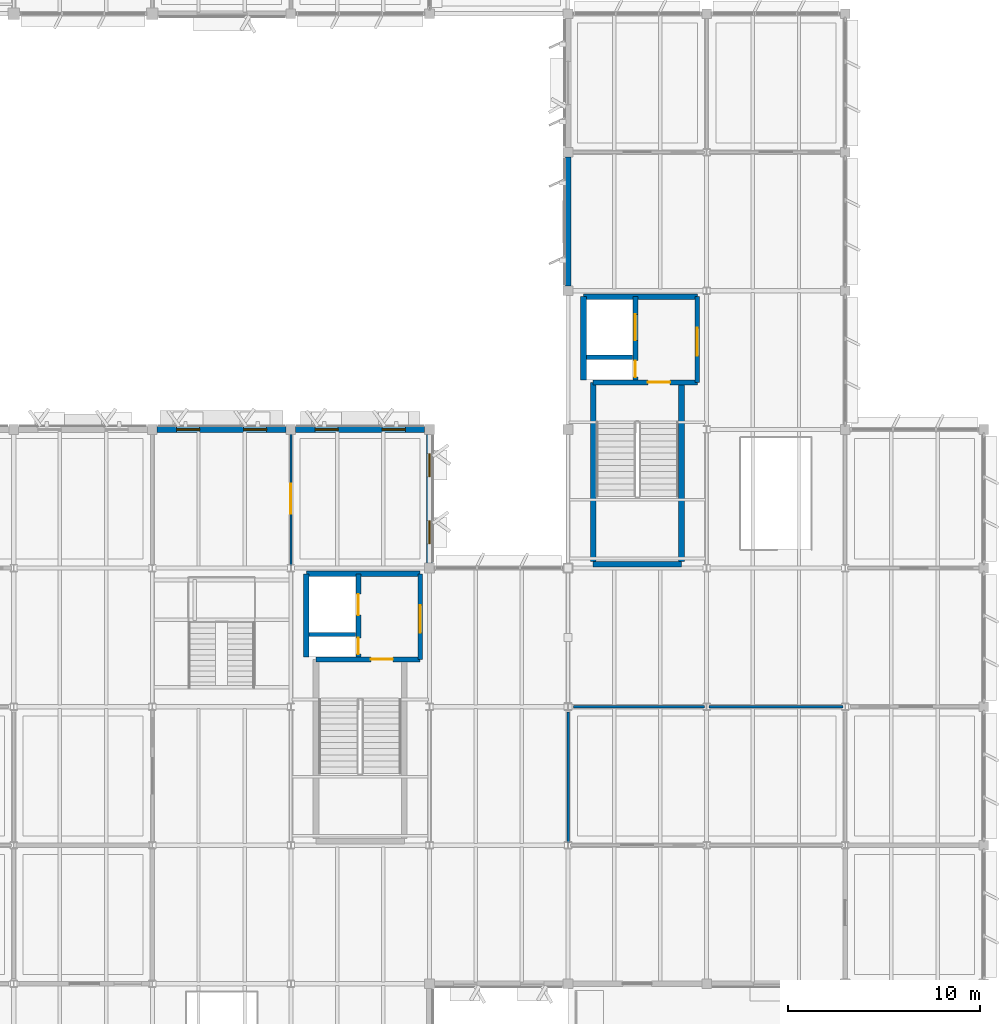
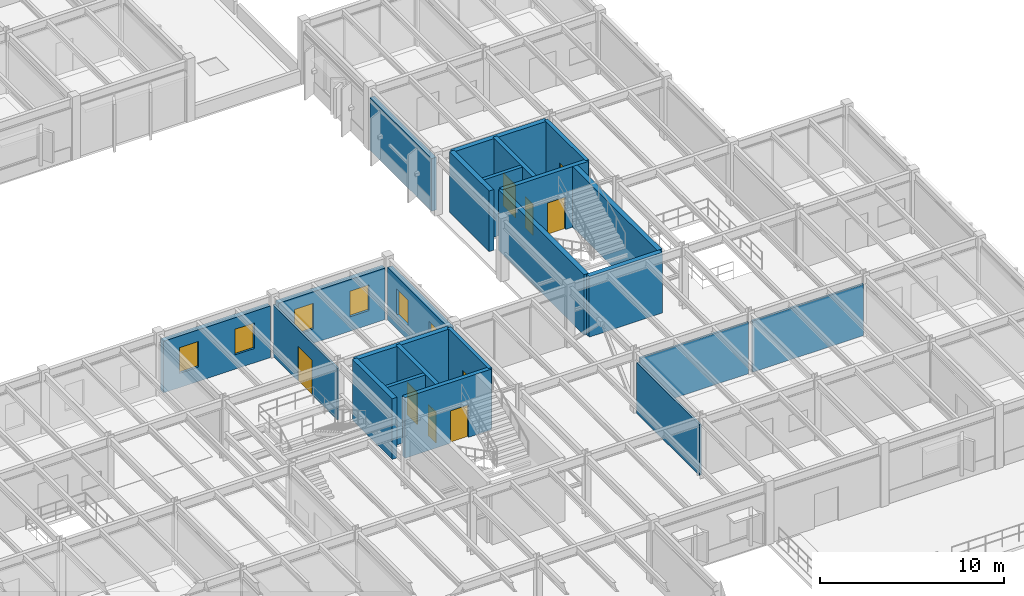
# One storey, part 38 of 85: 23 walls, 9 doors, 6 windows, 15 openings.
"""IFC4 building model written with IfcOpenShell, lengths in metres."""

from ifc_helpers import new_model, si_unit, direction, frame, frame_2d, origin, place, context, subcontext, project, spatial, rectangle, extrude, material, layer, layer_set, type_object, element, fill, save


model = new_model("IFC4")

# Units and contexts
model_context = context("Model", 3, precision=1e-05, world=origin(), true_north=direction((0.0, 1.0)))
body_context = subcontext(model_context, "Body", "Model", "MODEL_VIEW")
ifc_project = project(units=[si_unit("LENGTHUNIT", "METRE"), si_unit("AREAUNIT", "SQUARE_METRE"), si_unit("VOLUMEUNIT", "CUBIC_METRE"), si_unit("PLANEANGLEUNIT", "RADIAN"), si_unit("MASSUNIT", "GRAM", prefix="KILO")], contexts=[model_context])

# Site, building, storey
site_placement = place(None, origin())
site = spatial("IfcSite", under=ifc_project, at=site_placement, CompositionType="ELEMENT")
building_placement = place(site_placement, origin())
building = spatial("IfcBuilding", under=site, at=building_placement, Name="Sillqori Civic Hall", CompositionType="ELEMENT")
storey_placement = place(building_placement, frame((0.0, 0.0, 9.89990234375)))
storey = spatial("IfcBuildingStorey", under=building, at=storey_placement, Name="L03", CompositionType="ELEMENT", Elevation=9.89990234375)

# Wall
ifc_material_1 = material(Name="Concrete C35/45 (H35)", Category="concrete")
ifc_layer_1 = layer(ifc_material_1, 0.219970703125)
ifc_layer_set_1 = layer_set([ifc_layer_1], Name="Concrete C35/45 (H35)")
wall_type_1 = type_object("IfcWallType", Name="CW-SHR-220", PredefinedType="SHEAR", material=ifc_layer_set_1)
wall_1_placement = place(storey_placement, frame((123.35009765625, 61.35009765625, 0.0), z_axis=(0.0, 0.0, 1.0), x_axis=(1.0, 0.0, 0.0)))
element("IfcWall", 1, at=wall_1_placement, inside=storey, type_object=wall_type_1, Name="L03 C2 Lift-riser divider wall", PredefinedType="SHEAR", context=body_context, shape_type="SweptSolid", body=[
    extrude(rectangle(XDim=2.39990234375, YDim=0.219970703125, at=frame_2d((1.199951171875, 0.0))), origin(), (0.0, 0.0, 1.0), 4.02001953125),
])

# Wall, opening, door
wall_2_placement = place(storey_placement, frame((129.1201171875, 64.5, 0.0), z_axis=(0.0, 0.0, 1.0), x_axis=(0.0, -1.0, 0.0)))
wall_2 = element("IfcWall", 2, at=wall_2_placement, inside=storey, type_object=wall_type_1, Name="L03 C2 firefighting lobby enclosure wall", PredefinedType="SHEAR", context=body_context, shape_type="SweptSolid", body=[
    extrude(rectangle(XDim=4.449951171875, YDim=0.219970703125, at=frame_2d((2.22509765625, 0.0))), origin(), (0.0, 0.0, 1.0), 4.02001953125),
])
opening_1_placement = place(wall_2_placement, frame((1.625, 0.0, 0.0)))
opening_1 = element("IfcOpeningElement", 3, at=opening_1_placement, cuts=wall_2, Name="Opening FD-03", PredefinedType="OPENING", context=body_context, shape_type="SweptSolid", body=[
    extrude(rectangle(XDim=1.449951171875, YDim=2.199951171875, at=frame_2d((0.72509765625, 1.10009765625))), frame((0.0, 0.119873046875, 0.0), z_axis=(0.0, -1.0, 0.0), x_axis=(1.0, 0.0, 0.0)), (0.0, 0.0, 1.0), 0.239990234375),
])
ifc_material_2 = material(Name="Double-Leaf Smoke-Seal Lobby Door", Category="steel")
door_type_1 = type_object("IfcDoorType", Name="FDR-LOB-145X220", OperationType="NOTDEFINED", PredefinedType="DOOR", material=ifc_material_2)
door_1_placement = place(opening_1_placement, origin())
door_1 = element("IfcDoor", 4, at=door_1_placement, inside=storey, type_object=door_type_1, Name="L03 C2 firefighting lobby exit door", OperationType="DOUBLE_DOOR_SINGLE_SWING", OverallHeight=2.199951171875, OverallWidth=1.449951171875, PredefinedType="DOOR", context=body_context, shape_type="SweptSolid", body=[
    extrude(rectangle(XDim=1.449951171875, YDim=2.199951171875, at=frame_2d((0.72509765625, 1.10009765625))), frame((0.0, 0.02490234375, 0.0), z_axis=(0.0, -1.0, 0.0), x_axis=(1.0, 0.0, 0.0)), (0.0, 0.0, 1.0), 0.050048828125),
])
fill(opening_1, door_1)

# Wall
wall_3_placement = place(storey_placement, frame((108.949951171875, 46.949951171875, 0.0), z_axis=(0.0, 0.0, 1.0), x_axis=(1.0, 0.0, 0.0)))
element("IfcWall", 5, at=wall_3_placement, inside=storey, type_object=wall_type_1, Name="L03 C3 Lift-riser divider wall", PredefinedType="SHEAR", context=body_context, shape_type="SweptSolid", body=[
    extrude(rectangle(XDim=2.400146484375, YDim=0.219970703125, at=frame_2d((1.2001953125, 0.0))), origin(), (0.0, 0.0, 1.0), 4.02001953125),
])

# Wall, opening, door
wall_4_placement = place(storey_placement, frame((114.719970703125, 50.10009765625, 0.0), z_axis=(0.0, 0.0, 1.0), x_axis=(0.0, -1.0, 0.0)))
wall_4 = element("IfcWall", 6, at=wall_4_placement, inside=storey, type_object=wall_type_1, Name="L03 C3 firefighting lobby enclosure wall", PredefinedType="SHEAR", context=body_context, shape_type="SweptSolid", body=[
    extrude(rectangle(XDim=4.4501953125, YDim=0.219970703125, at=frame_2d((2.22509765625, 0.0))), origin(), (0.0, 0.0, 1.0), 4.02001953125),
])
opening_2_placement = place(wall_4_placement, frame((1.625, 0.0, 0.0)))
opening_2 = element("IfcOpeningElement", 7, at=opening_2_placement, cuts=wall_4, Name="Opening FD-03", PredefinedType="OPENING", context=body_context, shape_type="SweptSolid", body=[
    extrude(rectangle(XDim=1.449951171875, YDim=2.199951171875, at=frame_2d((0.72509765625, 1.10009765625))), frame((0.0, 0.119873046875, 0.0), z_axis=(0.0, -1.0, 0.0), x_axis=(1.0, 0.0, 0.0)), (0.0, 0.0, 1.0), 0.239990234375),
])
door_2_placement = place(opening_2_placement, origin())
door_2 = element("IfcDoor", 8, at=door_2_placement, inside=storey, type_object=door_type_1, Name="L03 C3 firefighting lobby exit door", OperationType="DOUBLE_DOOR_SINGLE_SWING", OverallHeight=2.199951171875, OverallWidth=1.449951171875, PredefinedType="DOOR", context=body_context, shape_type="SweptSolid", body=[
    extrude(rectangle(XDim=1.449951171875, YDim=2.199951171875, at=frame_2d((0.72509765625, 1.10009765625))), frame((0.0, 0.02490234375, 0.0), z_axis=(0.0, -1.0, 0.0), x_axis=(1.0, 0.0, 0.0)), (0.0, 0.0, 1.0), 0.050048828125),
])
fill(opening_2, door_2)

ifc_layer_2 = layer(ifc_material_1, 0.260009765625)
ifc_layer_set_2 = layer_set([ifc_layer_2], Name="Concrete C35/45 (H35)")
wall_type_2 = type_object("IfcWallType", Name="CW-SHR-260", PredefinedType="SHEAR", material=ifc_layer_set_2)
wall_5_placement = place(storey_placement, frame((123.7099609375, 60.050048828125, 0.0), z_axis=(0.0, 0.0, 1.0), x_axis=(1.0, 0.0, 0.0)))
wall_5 = element("IfcWall", 9, at=wall_5_placement, inside=storey, type_object=wall_type_2, Name="L03 C2 Stair-lobby fire wall", PredefinedType="SHEAR", context=body_context, shape_type="SweptSolid", body=[
    extrude(rectangle(XDim=5.41015625, YDim=0.260009765625, at=frame_2d((2.705078125, 0.0))), origin(), (0.0, 0.0, 1.0), 4.02001953125),
])
opening_3_placement = place(wall_5_placement, frame((2.840087890625, 0.0, 0.0)))
opening_3 = element("IfcOpeningElement", 10, at=opening_3_placement, cuts=wall_5, Name="Opening FD-01", PredefinedType="OPENING", context=body_context, shape_type="SweptSolid", body=[
    extrude(rectangle(XDim=1.14990234375, YDim=2.14990234375, at=frame_2d((0.574951171875, 1.074951171875))), frame((0.0, 0.139892578125, 0.0), z_axis=(0.0, -1.0, 0.0), x_axis=(1.0, 0.0, 0.0)), (0.0, 0.0, 1.0), 0.280029296875),
])
ifc_material_3 = material(Name="Galvanized Steel Fire Door FD90S", Category="steel")
door_type_2 = type_object("IfcDoorType", Name="FDR-STR-115X215", OperationType="NOTDEFINED", PredefinedType="DOOR", material=ifc_material_3)
door_3_placement = place(opening_3_placement, origin())
door_3 = element("IfcDoor", 11, at=door_3_placement, inside=storey, type_object=door_type_2, Name="L03 stair ST-02 fire door", OperationType="SINGLE_SWING_RIGHT", OverallHeight=2.14990234375, OverallWidth=1.14990234375, PredefinedType="DOOR", context=body_context, shape_type="SweptSolid", body=[
    extrude(rectangle(XDim=1.14990234375, YDim=2.14990234375, at=frame_2d((0.574951171875, 1.074951171875))), frame((0.0, 0.02490234375, 0.0), z_axis=(0.0, -1.0, 0.0), x_axis=(1.0, 0.0, 0.0)), (0.0, 0.0, 1.0), 0.050048828125),
])
fill(opening_3, door_3)

# Wall, openings, doors
wall_6_placement = place(storey_placement, frame((125.89990234375, 64.5, 0.0), z_axis=(0.0, 0.0, 1.0), x_axis=(0.0, -1.0, 0.0)))
wall_6 = element("IfcWall", 12, at=wall_6_placement, inside=storey, type_object=wall_type_2, Name="L03 C2 Lift landing & riser front wall", PredefinedType="SHEAR", context=body_context, shape_type="SweptSolid", body=[
    extrude(rectangle(XDim=4.320068359375, YDim=0.260009765625, at=frame_2d((2.16015625, 0.0))), origin(), (0.0, 0.0, 1.0), 4.02001953125),
])
opening_4_placement = place(wall_6_placement, frame((0.925048828125, 0.0, 0.0)))
opening_4 = element("IfcOpeningElement", 13, at=opening_4_placement, cuts=wall_6, Name="Opening LD-03", PredefinedType="OPENING", context=body_context, shape_type="SweptSolid", body=[
    extrude(rectangle(XDim=1.35009765625, YDim=2.199951171875, at=frame_2d((0.675048828125, 1.10009765625))), frame((0.0, 0.139892578125, 0.0), z_axis=(0.0, -1.0, 0.0), x_axis=(1.0, 0.0, 0.0)), (0.0, 0.0, 1.0), 0.280029296875),
])
opening_5_placement = place(wall_6_placement, frame((3.324951171875, 0.0, 0.0)))
opening_5 = element("IfcOpeningElement", 14, at=opening_5_placement, cuts=wall_6, Name="Opening FD-05", PredefinedType="OPENING", context=body_context, shape_type="SweptSolid", body=[
    extrude(rectangle(XDim=0.85009765625, YDim=2.050048828125, at=frame_2d((0.425048828125, 1.02490234375))), frame((0.0, 0.139892578125, 0.0), z_axis=(0.0, -1.0, 0.0), x_axis=(1.0, 0.0, 0.0)), (0.0, 0.0, 1.0), 0.280029296875),
])
ifc_material_4 = material(Name="Steel Riser Access Fire Door", Category="steel")
door_type_3 = type_object("IfcDoorType", Name="FDR-RSR-085X205", OperationType="NOTDEFINED", PredefinedType="DOOR", material=ifc_material_4)
door_4_placement = place(opening_5_placement, origin())
door_4 = element("IfcDoor", 15, at=door_4_placement, inside=storey, type_object=door_type_3, Name="L03 MEP riser C2 fire access door", OperationType="SINGLE_SWING_LEFT", OverallHeight=2.050048828125, OverallWidth=0.85009765625, PredefinedType="DOOR", context=body_context, shape_type="SweptSolid", body=[
    extrude(rectangle(XDim=0.85009765625, YDim=2.050048828125, at=frame_2d((0.425048828125, 1.02490234375))), frame((0.0, 0.02490234375, 0.0), z_axis=(0.0, -1.0, 0.0), x_axis=(1.0, 0.0, 0.0)), (0.0, 0.0, 1.0), 0.050048828125),
])
fill(opening_5, door_4)
ifc_material_5 = material(Name="Service Freight Lift Landing Door", Category="steel")
door_type_4 = type_object("IfcDoorType", Name="LDR-SERV-135X220", OperationType="NOTDEFINED", PredefinedType="DOOR", material=ifc_material_5)
door_5_placement = place(opening_4_placement, origin())
door_5 = element("IfcDoor", 16, at=door_5_placement, inside=storey, type_object=door_type_4, Name="L03 lift LF-08 sliding landing door", OperationType="DOUBLE_DOOR_SLIDING", OverallHeight=2.199951171875, OverallWidth=1.35009765625, PredefinedType="DOOR", context=body_context, shape_type="SweptSolid", body=[
    extrude(rectangle(XDim=1.35009765625, YDim=2.199951171875, at=frame_2d((0.675048828125, 1.10009765625))), frame((0.0, 0.02490234375, 0.0), z_axis=(0.0, -1.0, 0.0), x_axis=(1.0, 0.0, 0.0)), (0.0, 0.0, 1.0), 0.050048828125),
])
fill(opening_4, door_5)

# Wall, opening, door
wall_7_placement = place(storey_placement, frame((109.31005859375, 45.64990234375, 0.0), z_axis=(0.0, 0.0, 1.0), x_axis=(1.0, 0.0, 0.0)))
wall_7 = element("IfcWall", 17, at=wall_7_placement, inside=storey, type_object=wall_type_2, Name="L03 C3 Stair-lobby fire wall", PredefinedType="SHEAR", context=body_context, shape_type="SweptSolid", body=[
    extrude(rectangle(XDim=5.409912109375, YDim=0.260009765625, at=frame_2d((2.705078125, 0.0))), origin(), (0.0, 0.0, 1.0), 4.02001953125),
])
opening_6_placement = place(wall_7_placement, frame((2.840087890625, 0.0, 0.0)))
opening_6 = element("IfcOpeningElement", 18, at=opening_6_placement, cuts=wall_7, Name="Opening FD-01", PredefinedType="OPENING", context=body_context, shape_type="SweptSolid", body=[
    extrude(rectangle(XDim=1.14990234375, YDim=2.14990234375, at=frame_2d((0.574951171875, 1.074951171875))), frame((0.0, 0.139892578125, 0.0), z_axis=(0.0, -1.0, 0.0), x_axis=(1.0, 0.0, 0.0)), (0.0, 0.0, 1.0), 0.280029296875),
])
door_6_placement = place(opening_6_placement, origin())
door_6 = element("IfcDoor", 19, at=door_6_placement, inside=storey, type_object=door_type_2, Name="L03 stair ST-03 fire door", OperationType="SINGLE_SWING_RIGHT", OverallHeight=2.14990234375, OverallWidth=1.14990234375, PredefinedType="DOOR", context=body_context, shape_type="SweptSolid", body=[
    extrude(rectangle(XDim=1.14990234375, YDim=2.14990234375, at=frame_2d((0.574951171875, 1.074951171875))), frame((0.0, 0.02490234375, 0.0), z_axis=(0.0, -1.0, 0.0), x_axis=(1.0, 0.0, 0.0)), (0.0, 0.0, 1.0), 0.050048828125),
])
fill(opening_6, door_6)

# Wall, openings, doors
wall_8_placement = place(storey_placement, frame((111.5, 50.10009765625, 0.0), z_axis=(0.0, 0.0, 1.0), x_axis=(0.0, -1.0, 0.0)))
wall_8 = element("IfcWall", 20, at=wall_8_placement, inside=storey, type_object=wall_type_2, Name="L03 C3 Lift landing & riser front wall", PredefinedType="SHEAR", context=body_context, shape_type="SweptSolid", body=[
    extrude(rectangle(XDim=4.320068359375, YDim=0.260009765625, at=frame_2d((2.16015625, 0.0))), origin(), (0.0, 0.0, 1.0), 4.02001953125),
])
opening_7_placement = place(wall_8_placement, frame((1.050048828125, 0.0, 0.0)))
opening_7 = element("IfcOpeningElement", 21, at=opening_7_placement, cuts=wall_8, Name="Opening LD-01", PredefinedType="OPENING", context=body_context, shape_type="SweptSolid", body=[
    extrude(rectangle(XDim=1.10009765625, YDim=2.14990234375, at=frame_2d((0.550048828125, 1.074951171875))), frame((0.0, 0.139892578125, 0.0), z_axis=(0.0, -1.0, 0.0), x_axis=(1.0, 0.0, 0.0)), (0.0, 0.0, 1.0), 0.280029296875),
])
opening_8_placement = place(wall_8_placement, frame((3.324951171875, 0.0, 0.0)))
opening_8 = element("IfcOpeningElement", 22, at=opening_8_placement, cuts=wall_8, Name="Opening FD-05", PredefinedType="OPENING", context=body_context, shape_type="SweptSolid", body=[
    extrude(rectangle(XDim=0.85009765625, YDim=2.050048828125, at=frame_2d((0.425048828125, 1.02490234375))), frame((0.0, 0.139892578125, 0.0), z_axis=(0.0, -1.0, 0.0), x_axis=(1.0, 0.0, 0.0)), (0.0, 0.0, 1.0), 0.280029296875),
])
door_7_placement = place(opening_8_placement, origin())
door_7 = element("IfcDoor", 23, at=door_7_placement, inside=storey, type_object=door_type_3, Name="L03 MEP riser C3 fire access door", OperationType="SINGLE_SWING_LEFT", OverallHeight=2.050048828125, OverallWidth=0.85009765625, PredefinedType="DOOR", context=body_context, shape_type="SweptSolid", body=[
    extrude(rectangle(XDim=0.85009765625, YDim=2.050048828125, at=frame_2d((0.425048828125, 1.02490234375))), frame((0.0, 0.02490234375, 0.0), z_axis=(0.0, -1.0, 0.0), x_axis=(1.0, 0.0, 0.0)), (0.0, 0.0, 1.0), 0.050048828125),
])
fill(opening_8, door_7)
ifc_material_6 = material(Name="Stainless Steel Lift Landing Door", Category="steel")
door_type_5 = type_object("IfcDoorType", Name="LDR-PASS-110X215", OperationType="NOTDEFINED", PredefinedType="DOOR", material=ifc_material_6)
door_8_placement = place(opening_7_placement, origin())
door_8 = element("IfcDoor", 24, at=door_8_placement, inside=storey, type_object=door_type_5, Name="L03 lift LF-05 sliding landing door", OperationType="DOUBLE_DOOR_SLIDING", OverallHeight=2.14990234375, OverallWidth=1.10009765625, PredefinedType="DOOR", context=body_context, shape_type="SweptSolid", body=[
    extrude(rectangle(XDim=1.10009765625, YDim=2.14990234375, at=frame_2d((0.550048828125, 1.074951171875))), frame((0.0, 0.02490234375, 0.0), z_axis=(0.0, -1.0, 0.0), x_axis=(1.0, 0.0, 0.0)), (0.0, 0.0, 1.0), 0.050048828125),
])
fill(opening_7, door_8)

# Walls
ifc_layer_3 = layer(ifc_material_1, 0.300048828125)
ifc_layer_set_3 = layer_set([ifc_layer_3], Name="Concrete C35/45 (H35)")
wall_type_3 = type_object("IfcWallType", Name="CW-SHR-300", PredefinedType="SHEAR", material=ifc_layer_set_3)
wall_9_placement = place(storey_placement, frame((123.7099609375, 50.60009765625, 0.0), z_axis=(0.0, 0.0, 1.0), x_axis=(1.0, 0.0, 0.0)))
element("IfcWall", 25, at=wall_9_placement, inside=storey, type_object=wall_type_3, Name="L03 C2 Stair south shear wall", PredefinedType="SHEAR", context=body_context, shape_type="SweptSolid", body=[
    extrude(rectangle(XDim=4.580078125, YDim=0.300048828125, at=frame_2d((2.2900390625, 0.0))), origin(), (0.0, 0.0, 1.0), 4.02001953125),
])
for number, where, z_axis, x_axis, name in (
    (26, (123.7099609375, 50.75, 0.0), (0.0, 0.0, 1.0), (0.0, 1.0, 0.0), "L03 C2 Stair west shear wall"),
    (27, (128.2900390625, 50.75, 0.0), (0.0, 0.0, 1.0), (0.0, 1.0, 0.0), "L03 C2 Stair east shear wall"),
):
    element("IfcWall", number, at=place(storey_placement, frame(where, z_axis=z_axis, x_axis=x_axis)), inside=storey, type_object=wall_type_3, Name=name, PredefinedType="SHEAR", context=body_context, shape_type="SweptSolid", body=[
        extrude(rectangle(XDim=9.300048828125, YDim=0.300048828125, at=frame_2d((4.64990234375, 0.0))), origin(), (0.0, 0.0, 1.0), 4.02001953125),
    ])
wall_10_placement = place(storey_placement, frame((123.199951171875, 60.179931640625, 0.0), z_axis=(0.0, 0.0, 1.0), x_axis=(0.0, 1.0, 0.0)))
element("IfcWall", 28, at=wall_10_placement, inside=storey, type_object=wall_type_3, Name="L03 C2 Lift shaft west shear wall", PredefinedType="SHEAR", context=body_context, shape_type="SweptSolid", body=[
    extrude(rectangle(XDim=4.320068359375, YDim=0.300048828125, at=frame_2d((2.16015625, 0.0))), origin(), (0.0, 0.0, 1.0), 4.02001953125),
])
wall_11_placement = place(storey_placement, frame((123.199951171875, 64.5, 0.0), z_axis=(0.0, 0.0, 1.0), x_axis=(1.0, 0.0, 0.0)))
element("IfcWall", 29, at=wall_11_placement, inside=storey, type_object=wall_type_3, Name="L03 C2 Core north shear wall", PredefinedType="SHEAR", context=body_context, shape_type="SweptSolid", body=[
    extrude(rectangle(XDim=5.920166015625, YDim=0.300048828125, at=frame_2d((2.9599609375, 0.0))), origin(), (0.0, 0.0, 1.0), 4.02001953125),
])
wall_12_placement = place(storey_placement, frame((108.800048828125, 45.780029296875, 0.0), z_axis=(0.0, 0.0, 1.0), x_axis=(0.0, 1.0, 0.0)))
element("IfcWall", 30, at=wall_12_placement, inside=storey, type_object=wall_type_3, Name="L03 C3 Lift shaft west shear wall", PredefinedType="SHEAR", context=body_context, shape_type="SweptSolid", body=[
    extrude(rectangle(XDim=4.320068359375, YDim=0.300048828125, at=frame_2d((2.16015625, 0.0))), origin(), (0.0, 0.0, 1.0), 4.02001953125),
])
wall_13_placement = place(storey_placement, frame((108.800048828125, 50.10009765625, 0.0), z_axis=(0.0, 0.0, 1.0), x_axis=(1.0, 0.0, 0.0)))
element("IfcWall", 31, at=wall_13_placement, inside=storey, type_object=wall_type_3, Name="L03 C3 Core north shear wall", PredefinedType="SHEAR", context=body_context, shape_type="SweptSolid", body=[
    extrude(rectangle(XDim=5.919921875, YDim=0.300048828125, at=frame_2d((2.9599609375, 0.0))), origin(), (0.0, 0.0, 1.0), 4.02001953125),
])
ifc_material_7 = material(Name="Precast concrete C40/50 (H40)", Category="concrete")
ifc_layer_4 = layer(ifc_material_7, 0.300048828125)
ifc_layer_set_4 = layer_set([ifc_layer_4], Name="Precast concrete C40/50 (H40)")
wall_type_4 = type_object("IfcWallType", Name="EW-LIME-300", PredefinedType="SOLIDWALL", material=ifc_layer_set_4)
wall_14_placement = place(storey_placement, frame((122.39990234375, 65.050048828125, 0.0), z_axis=(0.0, 0.0, 1.0), x_axis=(0.0, 1.0, 0.0)))
element("IfcWall", 32, at=wall_14_placement, inside=storey, type_object=wall_type_4, Name="L03 V3 exterior wall L03-17-09-W", PredefinedType="SOLIDWALL", context=body_context, shape_type="SweptSolid", body=[
    extrude(rectangle(XDim=6.699951171875, YDim=0.300048828125, at=frame_2d((3.35009765625, 0.0))), origin(), (0.0, 0.0, 1.0), 3.487060546875),
])

# Wall, openings, windows
ifc_layer_5 = layer(ifc_material_7, 0.320068359375)
ifc_layer_set_5 = layer_set([ifc_layer_5], Name="Precast concrete C40/50 (H40)")
wall_type_5 = type_object("IfcWallType", Name="EW-LIME-320", PredefinedType="SOLIDWALL", material=ifc_layer_set_5)
wall_15_placement = place(storey_placement, frame((101.050048828125, 57.60009765625, 0.0), z_axis=(0.0, 0.0, 1.0), x_axis=(1.0, 0.0, 0.0)))
wall_15 = element("IfcWall", 33, at=wall_15_placement, inside=storey, type_object=wall_type_5, Name="L03 V2 exterior wall L03-14-07-N", PredefinedType="SOLIDWALL", context=body_context, shape_type="SweptSolid", body=[
    extrude(rectangle(XDim=6.699951171875, YDim=0.320068359375, at=frame_2d((3.35009765625, 0.0))), origin(), (0.0, 0.0, 1.0), 3.418212890625),
])
opening_9_placement = place(wall_15_placement, frame((1.008056640625, 0.0, 0.949951171875)))
opening_9 = element("IfcOpeningElement", 34, at=opening_9_placement, cuts=wall_15, Name="Opening W-22", PredefinedType="OPENING", context=body_context, shape_type="SweptSolid", body=[
    extrude(rectangle(XDim=1.199951171875, YDim=1.699951171875, at=frame_2d((0.60009765625, 0.85009765625))), frame((0.0, 0.169921875, 0.0), z_axis=(0.0, -1.0, 0.0), x_axis=(1.0, 0.0, 0.0)), (0.0, 0.0, 1.0), 0.340087890625),
])
opening_10_placement = place(wall_15_placement, frame((4.491943359375, 0.0, 0.949951171875)))
opening_10 = element("IfcOpeningElement", 35, at=opening_10_placement, cuts=wall_15, Name="Opening W-22", PredefinedType="OPENING", context=body_context, shape_type="SweptSolid", body=[
    extrude(rectangle(XDim=1.199951171875, YDim=1.699951171875, at=frame_2d((0.60009765625, 0.85009765625))), frame((0.0, 0.169921875, 0.0), z_axis=(0.0, -1.0, 0.0), x_axis=(1.0, 0.0, 0.0)), (0.0, 0.0, 1.0), 0.340087890625),
])
ifc_material_8 = material(Name="Thermally Broken Aluminium Low-E Window", Category="aluminium")
window_type = type_object("IfcWindowType", Name="WIN-V5-120X170", PartitioningType="SINGLE_PANEL", PredefinedType="WINDOW", material=ifc_material_8)
window_1_placement = place(opening_9_placement, origin())
window_1 = element("IfcWindow", 36, at=window_1_placement, inside=storey, type_object=window_type, Name="L03 V2 window L03-14-07-N.1", OverallHeight=1.699951171875, OverallWidth=1.199951171875, PartitioningType="SINGLE_PANEL", PredefinedType="WINDOW", context=body_context, shape_type="SweptSolid", body=[
    extrude(rectangle(XDim=1.199951171875, YDim=1.699951171875, at=frame_2d((0.60009765625, 0.85009765625))), frame((0.0, 0.030029296875, 0.0), z_axis=(0.0, -1.0, 0.0), x_axis=(1.0, 0.0, 0.0)), (0.0, 0.0, 1.0), 0.06005859375),
])
fill(opening_9, window_1)
window_2_placement = place(opening_10_placement, origin())
window_2 = element("IfcWindow", 37, at=window_2_placement, inside=storey, type_object=window_type, Name="L03 V2 window L03-14-07-N.2", OverallHeight=1.699951171875, OverallWidth=1.199951171875, PartitioningType="SINGLE_PANEL", PredefinedType="WINDOW", context=body_context, shape_type="SweptSolid", body=[
    extrude(rectangle(XDim=1.199951171875, YDim=1.699951171875, at=frame_2d((0.60009765625, 0.85009765625))), frame((0.0, 0.030029296875, 0.0), z_axis=(0.0, -1.0, 0.0), x_axis=(1.0, 0.0, 0.0)), (0.0, 0.0, 1.0), 0.06005859375),
])
fill(opening_10, window_2)

wall_16_placement = place(storey_placement, frame((108.25, 57.60009765625, 0.0), z_axis=(0.0, 0.0, 1.0), x_axis=(1.0, 0.0, 0.0)))
wall_16 = element("IfcWall", 38, at=wall_16_placement, inside=storey, type_object=wall_type_5, Name="L03 V2 exterior wall L03-15-07-N", PredefinedType="SOLIDWALL", context=body_context, shape_type="SweptSolid", body=[
    extrude(rectangle(XDim=6.699951171875, YDim=0.320068359375, at=frame_2d((3.35009765625, 0.0))), origin(), (0.0, 0.0, 1.0), 3.418212890625),
])
opening_11_placement = place(wall_16_placement, frame((1.008056640625, 0.0, 0.949951171875)))
opening_11 = element("IfcOpeningElement", 39, at=opening_11_placement, cuts=wall_16, Name="Opening W-22", PredefinedType="OPENING", context=body_context, shape_type="SweptSolid", body=[
    extrude(rectangle(XDim=1.199951171875, YDim=1.699951171875, at=frame_2d((0.60009765625, 0.85009765625))), frame((0.0, 0.169921875, 0.0), z_axis=(0.0, -1.0, 0.0), x_axis=(1.0, 0.0, 0.0)), (0.0, 0.0, 1.0), 0.340087890625),
])
opening_12_placement = place(wall_16_placement, frame((4.491943359375, 0.0, 0.949951171875)))
opening_12 = element("IfcOpeningElement", 40, at=opening_12_placement, cuts=wall_16, Name="Opening W-22", PredefinedType="OPENING", context=body_context, shape_type="SweptSolid", body=[
    extrude(rectangle(XDim=1.199951171875, YDim=1.699951171875, at=frame_2d((0.60009765625, 0.85009765625))), frame((0.0, 0.169921875, 0.0), z_axis=(0.0, -1.0, 0.0), x_axis=(1.0, 0.0, 0.0)), (0.0, 0.0, 1.0), 0.340087890625),
])
window_3_placement = place(opening_11_placement, origin())
window_3 = element("IfcWindow", 41, at=window_3_placement, inside=storey, type_object=window_type, Name="L03 V2 window L03-15-07-N.1", OverallHeight=1.699951171875, OverallWidth=1.199951171875, PartitioningType="SINGLE_PANEL", PredefinedType="WINDOW", context=body_context, shape_type="SweptSolid", body=[
    extrude(rectangle(XDim=1.199951171875, YDim=1.699951171875, at=frame_2d((0.60009765625, 0.85009765625))), frame((0.0, 0.030029296875, 0.0), z_axis=(0.0, -1.0, 0.0), x_axis=(1.0, 0.0, 0.0)), (0.0, 0.0, 1.0), 0.06005859375),
])
fill(opening_11, window_3)
window_4_placement = place(opening_12_placement, origin())
window_4 = element("IfcWindow", 42, at=window_4_placement, inside=storey, type_object=window_type, Name="L03 V2 window L03-15-07-N.2", OverallHeight=1.699951171875, OverallWidth=1.199951171875, PartitioningType="SINGLE_PANEL", PredefinedType="WINDOW", context=body_context, shape_type="SweptSolid", body=[
    extrude(rectangle(XDim=1.199951171875, YDim=1.699951171875, at=frame_2d((0.60009765625, 0.85009765625))), frame((0.0, 0.030029296875, 0.0), z_axis=(0.0, -1.0, 0.0), x_axis=(1.0, 0.0, 0.0)), (0.0, 0.0, 1.0), 0.06005859375),
])
fill(opening_12, window_4)

wall_17_placement = place(storey_placement, frame((115.199951171875, 57.35009765625, 0.0), z_axis=(0.0, 0.0, 1.0), x_axis=(0.0, -1.0, 0.0)))
wall_17 = element("IfcWall", 43, at=wall_17_placement, inside=storey, type_object=wall_type_5, Name="L03 V2 exterior wall L03-15-07-E", PredefinedType="SOLIDWALL", context=body_context, shape_type="SweptSolid", body=[
    extrude(rectangle(XDim=6.7001953125, YDim=0.320068359375, at=frame_2d((3.35009765625, 0.0))), origin(), (0.0, 0.0, 1.0), 3.487060546875),
])
opening_13_placement = place(wall_17_placement, frame((1.008056640625, 0.0, 0.949951171875)))
opening_13 = element("IfcOpeningElement", 44, at=opening_13_placement, cuts=wall_17, Name="Opening W-22", PredefinedType="OPENING", context=body_context, shape_type="SweptSolid", body=[
    extrude(rectangle(XDim=1.199951171875, YDim=1.699951171875, at=frame_2d((0.60009765625, 0.85009765625))), frame((0.0, 0.169921875, 0.0), z_axis=(0.0, -1.0, 0.0), x_axis=(1.0, 0.0, 0.0)), (0.0, 0.0, 1.0), 0.340087890625),
])
opening_14_placement = place(wall_17_placement, frame((4.491943359375, 0.0, 0.949951171875)))
opening_14 = element("IfcOpeningElement", 45, at=opening_14_placement, cuts=wall_17, Name="Opening W-22", PredefinedType="OPENING", context=body_context, shape_type="SweptSolid", body=[
    extrude(rectangle(XDim=1.199951171875, YDim=1.699951171875, at=frame_2d((0.60009765625, 0.85009765625))), frame((0.0, 0.169921875, 0.0), z_axis=(0.0, -1.0, 0.0), x_axis=(1.0, 0.0, 0.0)), (0.0, 0.0, 1.0), 0.340087890625),
])
window_5_placement = place(opening_13_placement, origin())
window_5 = element("IfcWindow", 46, at=window_5_placement, inside=storey, type_object=window_type, Name="L03 V2 window L03-15-07-E.1", OverallHeight=1.699951171875, OverallWidth=1.199951171875, PartitioningType="SINGLE_PANEL", PredefinedType="WINDOW", context=body_context, shape_type="SweptSolid", body=[
    extrude(rectangle(XDim=1.199951171875, YDim=1.699951171875, at=frame_2d((0.60009765625, 0.85009765625))), frame((0.0, 0.030029296875, 0.0), z_axis=(0.0, -1.0, 0.0), x_axis=(1.0, 0.0, 0.0)), (0.0, 0.0, 1.0), 0.06005859375),
])
fill(opening_13, window_5)
window_6_placement = place(opening_14_placement, origin())
window_6 = element("IfcWindow", 47, at=window_6_placement, inside=storey, type_object=window_type, Name="L03 V2 window L03-15-07-E.2", OverallHeight=1.699951171875, OverallWidth=1.199951171875, PartitioningType="SINGLE_PANEL", PredefinedType="WINDOW", context=body_context, shape_type="SweptSolid", body=[
    extrude(rectangle(XDim=1.199951171875, YDim=1.699951171875, at=frame_2d((0.60009765625, 0.85009765625))), frame((0.0, 0.030029296875, 0.0), z_axis=(0.0, -1.0, 0.0), x_axis=(1.0, 0.0, 0.0)), (0.0, 0.0, 1.0), 0.06005859375),
])
fill(opening_14, window_6)

# Wall, opening, door
ifc_material_9 = material(Name="Acoustic Steel-Stud Partition 116", Category="steel")
ifc_layer_6 = layer(ifc_material_9, 0.115966796875)
ifc_layer_set_6 = layer_set([ifc_layer_6], Name="Acoustic Steel-Stud Partition 116")
wall_type_6 = type_object("IfcWallType", Name="PT-GYP-116", PredefinedType="PARTITIONING", material=ifc_layer_set_6)
wall_18_placement = place(storey_placement, frame((108.0, 50.52001953125, 0.0), z_axis=(0.0, 0.0, 1.0), x_axis=(0.0, 1.0, 0.0)))
wall_18 = element("IfcWall", 48, at=wall_18_placement, inside=storey, type_object=wall_type_6, Name="Youth Municipal Council Workshop Studio L03-19 partition W1", PredefinedType="PARTITIONING", context=body_context, shape_type="SweptSolid", body=[
    extrude(rectangle(XDim=6.9599609375, YDim=0.115966796875, at=frame_2d((3.47998046875, 0.0))), origin(), (0.0, 0.0, 1.0), 3.408203125),
])
opening_15_placement = place(wall_18_placement, frame((2.705078125, 0.0, 0.0)))
opening_15 = element("IfcOpeningElement", 49, at=opening_15_placement, cuts=wall_18, Name="Opening ID-08", PredefinedType="OPENING", context=body_context, shape_type="SweptSolid", body=[
    extrude(rectangle(XDim=1.550048828125, YDim=2.300048828125, at=frame_2d((0.77490234375, 1.14990234375))), frame((0.0, 0.06787109375, 0.0), z_axis=(0.0, -1.0, 0.0), x_axis=(1.0, 0.0, 0.0)), (0.0, 0.0, 1.0), 0.135986328125),
])
ifc_material_10 = material(Name="Community Room Double Leaf Door", Category="timber")
door_type_6 = type_object("IfcDoorType", Name="IDR-CMY-155X230", OperationType="NOTDEFINED", PredefinedType="DOOR", material=ifc_material_10)
door_9_placement = place(opening_15_placement, origin())
door_9 = element("IfcDoor", 50, at=door_9_placement, inside=storey, type_object=door_type_6, Name="Youth Municipal Council Workshop Studio L03-19 entrance door", OperationType="DOUBLE_DOOR_SINGLE_SWING", OverallHeight=2.300048828125, OverallWidth=1.550048828125, PredefinedType="DOOR", context=body_context, shape_type="SweptSolid", body=[
    extrude(rectangle(XDim=1.550048828125, YDim=2.300048828125, at=frame_2d((0.77490234375, 1.14990234375))), frame((0.0, 0.02490234375, 0.0), z_axis=(0.0, -1.0, 0.0), x_axis=(1.0, 0.0, 0.0)), (0.0, 0.0, 1.0), 0.050048828125),
])
fill(opening_15, door_9)

# Walls
ifc_material_11 = material(Name="Double-Board Acoustic Partition 128", Category="gypsum")
ifc_layer_7 = layer(ifc_material_11, 0.1279296875)
ifc_layer_set_7 = layer_set([ifc_layer_7], Name="Double-Board Acoustic Partition 128")
wall_type_7 = type_object("IfcWallType", Name="PT-GYP-128", PredefinedType="PARTITIONING", material=ifc_layer_set_7)
wall_19_placement = place(storey_placement, frame((122.679931640625, 43.199951171875, 0.0), z_axis=(0.0, 0.0, 1.0), x_axis=(1.0, 0.0, 0.0)))
element("IfcWall", 51, at=wall_19_placement, inside=storey, type_object=wall_type_7, Name="Members Library Quiet Study Reading Room partition N3", PredefinedType="PARTITIONING", context=body_context, shape_type="SweptSolid", body=[
    extrude(rectangle(XDim=6.800048828125, YDim=0.1279296875, at=frame_2d((3.39990234375, 0.0))), origin(), (0.0, 0.0, 1.0), 3.398193359375),
])
wall_20_placement = place(storey_placement, frame((129.719970703125, 43.199951171875, 0.0), z_axis=(0.0, 0.0, 1.0), x_axis=(1.0, 0.0, 0.0)))
element("IfcWall", 52, at=wall_20_placement, inside=storey, type_object=wall_type_7, Name="Members Library Quiet Study Reading Room partition N4", PredefinedType="PARTITIONING", context=body_context, shape_type="SweptSolid", body=[
    extrude(rectangle(XDim=6.9599609375, YDim=0.1279296875, at=frame_2d((3.47998046875, 0.0))), origin(), (0.0, 0.0, 1.0), 3.398193359375),
])
wall_21_placement = place(storey_placement, frame((122.39990234375, 36.1201171875, 0.0), z_axis=(0.0, 0.0, 1.0), x_axis=(0.0, 1.0, 0.0)))
element("IfcWall", 53, at=wall_21_placement, inside=storey, type_object=wall_type_7, Name="Members Library Quiet Study Reading Room partition W5", PredefinedType="PARTITIONING", context=body_context, shape_type="SweptSolid", body=[
    extrude(rectangle(XDim=6.7998046875, YDim=0.1279296875, at=frame_2d((3.39990234375, 0.0))), origin(), (0.0, 0.0, 1.0), 3.378173828125),
])

save(model, "model.ifc")
